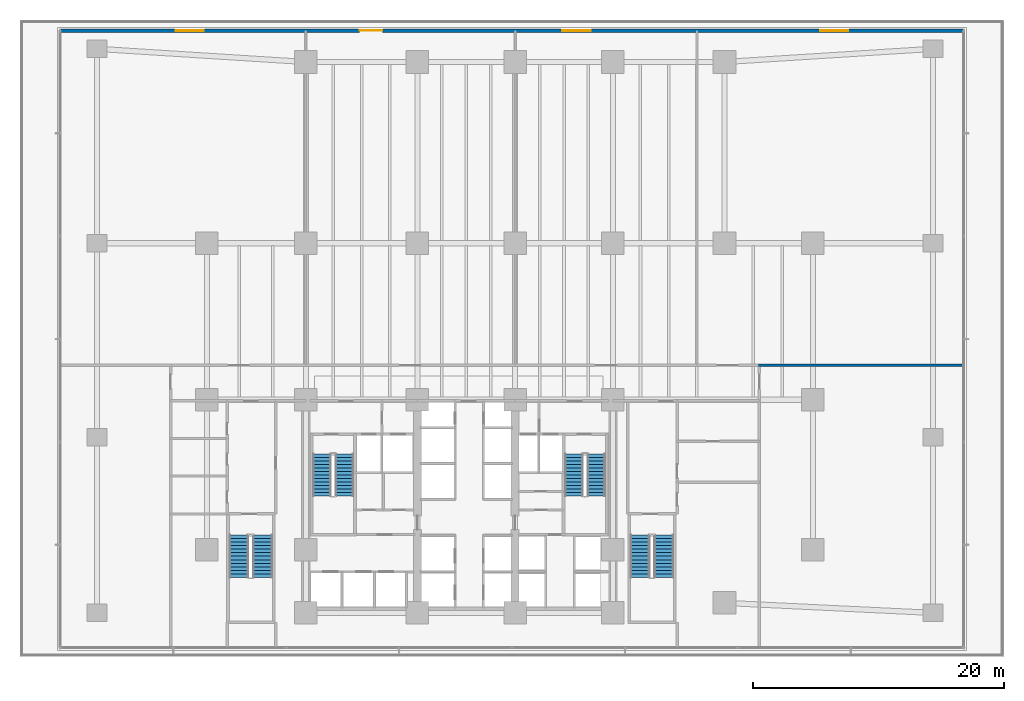
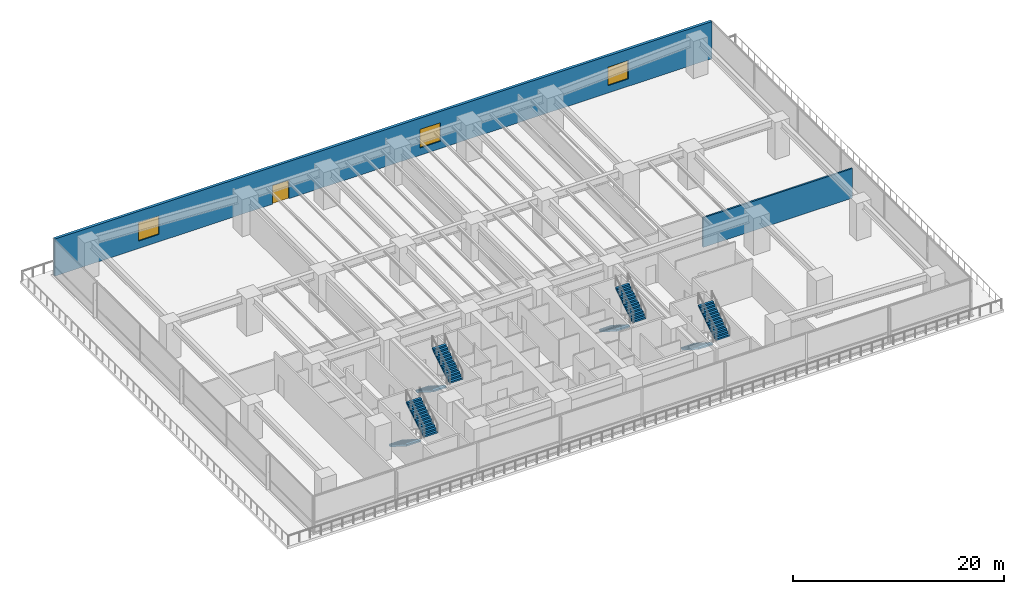
# One storey, part 13 of 28: 8 stair flights, 3 windows, 2 walls, 1 door, 4 openings, 4 elements without a shape of their own.
"""IFC4 building model written with IfcOpenShell, lengths in metres."""

from ifc_helpers import new_model, si_unit, direction, frame, frame_2d, origin, place, context, subcontext, project, spatial, polyline, rectangle, outline, extrude, material, layer, layer_set, type_object, element, fill, aggregate, save


model = new_model("IFC4")

# Units and contexts
model_context = context("Model", 3, precision=1e-05, world=origin(), true_north=direction((0.0, 1.0)))
body_context = subcontext(model_context, "Body", "Model", "MODEL_VIEW")
ifc_project = project(units=[si_unit("LENGTHUNIT", "METRE"), si_unit("AREAUNIT", "SQUARE_METRE"), si_unit("VOLUMEUNIT", "CUBIC_METRE"), si_unit("PLANEANGLEUNIT", "RADIAN"), si_unit("MASSUNIT", "GRAM", prefix="KILO")], contexts=[model_context])

# Site, building, storey
site_placement = place(None, origin())
site = spatial("IfcSite", under=ifc_project, at=site_placement, CompositionType="ELEMENT")
building_placement = place(site_placement, origin())
building = spatial("IfcBuilding", under=site, at=building_placement, Name="Qalmaran Belvedere Hotel", CompositionType="ELEMENT")
storey_placement = place(building_placement, frame((0.0, 0.0, 10.0)))
storey = spatial("IfcBuildingStorey", under=building, at=storey_placement, Name="L02", CompositionType="ELEMENT", Elevation=10.0)

# Wall, openings, door, windows
ifc_material_1 = material(Name="Riyadh Limestone Cladding", Category="masonry")
ifc_layer_1 = layer(ifc_material_1, 0.300048828125, Name="Riyadh Limestone Cladding")
ifc_layer_set_1 = layer_set([ifc_layer_1], Name="Riyadh Limestone Cladding")
wall_type_1 = type_object("IfcWallType", Name="WL-EXT-BRNZ-300", PredefinedType="SOLIDWALL", material=ifc_layer_set_1)
wall_1_placement = place(storey_placement, frame((0.75, 49.949951171875, 0.0), z_axis=(0.0, 0.0, 1.0), x_axis=(1.0, 0.0, 0.0)))
wall_1 = element("IfcWall", 1, at=wall_1_placement, inside=storey, type_object=wall_type_1, Name="L02 North Terrace Wall", PredefinedType="SOLIDWALL", context=body_context, shape_type="SweptSolid", body=[
    extrude(rectangle(XDim=72.0, YDim=0.300048828125, at=frame_2d((36.0, 0.0))), origin(), (0.0, 0.0, 1.0), 4.300048828125),
])
opening_1_placement = place(wall_1_placement, frame((23.85009765625, 0.0, 0.0)))
opening_1 = element("IfcOpeningElement", 2, at=opening_1_placement, cuts=wall_1, Name="Opening TR-180", PredefinedType="OPENING", context=body_context, shape_type="SweptSolid", body=[
    extrude(rectangle(XDim=1.800048828125, YDim=2.14990234375, at=frame_2d((0.89990234375, 1.074951171875))), frame((0.0, 0.16015625, 0.0), z_axis=(0.0, -1.0, 0.0), x_axis=(1.0, 0.0, 0.0)), (0.0, 0.0, 1.0), 0.320068359375),
])
opening_2_placement = place(wall_1_placement, frame((9.16064453125, 0.0, 0.85009765625)))
opening_2 = element("IfcOpeningElement", 3, at=opening_2_placement, cuts=wall_1, Name="Opening W-P22", PredefinedType="OPENING", context=body_context, shape_type="SweptSolid", body=[
    extrude(rectangle(XDim=2.25, YDim=2.14990234375, at=frame_2d((1.125, 1.074951171875))), frame((0.0, 0.16015625, 0.0), z_axis=(0.0, -1.0, 0.0), x_axis=(1.0, 0.0, 0.0)), (0.0, 0.0, 1.0), 0.320068359375),
])
opening_3_placement = place(wall_1_placement, frame((40.017822265625, 0.0, 0.85009765625)))
opening_3 = element("IfcOpeningElement", 4, at=opening_3_placement, cuts=wall_1, Name="Opening W-P22", PredefinedType="OPENING", context=body_context, shape_type="SweptSolid", body=[
    extrude(rectangle(XDim=2.25, YDim=2.14990234375, at=frame_2d((1.125, 1.074951171875))), frame((0.0, 0.16015625, 0.0), z_axis=(0.0, -1.0, 0.0), x_axis=(1.0, 0.0, 0.0)), (0.0, 0.0, 1.0), 0.320068359375),
])
opening_4_placement = place(wall_1_placement, frame((60.58935546875, 0.0, 0.85009765625)))
opening_4 = element("IfcOpeningElement", 5, at=opening_4_placement, cuts=wall_1, Name="Opening W-P22", PredefinedType="OPENING", context=body_context, shape_type="SweptSolid", body=[
    extrude(rectangle(XDim=2.25, YDim=2.14990234375, at=frame_2d((1.125, 1.074951171875))), frame((0.0, 0.16015625, 0.0), z_axis=(0.0, -1.0, 0.0), x_axis=(1.0, 0.0, 0.0)), (0.0, 0.0, 1.0), 0.320068359375),
])
ifc_material_2 = material(Name="Anodised Bronze Aluminium", Category="aluminium")
door_type = type_object("IfcDoorType", Name="DR-TERR-1800X2150", OperationType="NOTDEFINED", PredefinedType="DOOR", material=ifc_material_2)
door_placement = place(opening_1_placement, origin())
door = element("IfcDoor", 6, at=door_placement, inside=storey, type_object=door_type, Name="L02 Podium Terrace Door", OperationType="DOUBLE_DOOR_SINGLE_SWING", OverallHeight=2.14990234375, OverallWidth=1.800048828125, PredefinedType="DOOR", context=body_context, shape_type="SweptSolid", body=[
    extrude(rectangle(XDim=1.800048828125, YDim=2.14990234375, at=frame_2d((0.89990234375, 1.074951171875))), frame((0.0, 0.02490234375, 0.0), z_axis=(0.0, -1.0, 0.0), x_axis=(1.0, 0.0, 0.0)), (0.0, 0.0, 1.0), 0.050048828125),
])
fill(opening_1, door)
ifc_material_3 = material(Name="Solar-Control Double Glazing", Category="glass")
window_type = type_object("IfcWindowType", Name="WN-POD-2250X2150", PartitioningType="SINGLE_PANEL", PredefinedType="WINDOW", material=ifc_material_3)
window_1_placement = place(opening_2_placement, origin())
window_1 = element("IfcWindow", 7, at=window_1_placement, inside=storey, type_object=window_type, Name="L02 North Chicago Bay Window 1", OverallHeight=2.14990234375, OverallWidth=2.25, PartitioningType="SINGLE_PANEL", PredefinedType="WINDOW", context=body_context, shape_type="SweptSolid", body=[
    extrude(rectangle(XDim=2.25, YDim=2.14990234375, at=frame_2d((1.125, 1.074951171875))), frame((0.0, 0.030029296875, 0.0), z_axis=(0.0, -1.0, 0.0), x_axis=(1.0, 0.0, 0.0)), (0.0, 0.0, 1.0), 0.06005859375),
])
fill(opening_2, window_1)
window_2_placement = place(opening_3_placement, origin())
window_2 = element("IfcWindow", 8, at=window_2_placement, inside=storey, type_object=window_type, Name="L02 North Chicago Bay Window 4", OverallHeight=2.14990234375, OverallWidth=2.25, PartitioningType="SINGLE_PANEL", PredefinedType="WINDOW", context=body_context, shape_type="SweptSolid", body=[
    extrude(rectangle(XDim=2.25, YDim=2.14990234375, at=frame_2d((1.125, 1.074951171875))), frame((0.0, 0.030029296875, 0.0), z_axis=(0.0, -1.0, 0.0), x_axis=(1.0, 0.0, 0.0)), (0.0, 0.0, 1.0), 0.06005859375),
])
fill(opening_3, window_2)
window_3_placement = place(opening_4_placement, origin())
window_3 = element("IfcWindow", 9, at=window_3_placement, inside=storey, type_object=window_type, Name="L02 North Chicago Bay Window 6", OverallHeight=2.14990234375, OverallWidth=2.25, PartitioningType="SINGLE_PANEL", PredefinedType="WINDOW", context=body_context, shape_type="SweptSolid", body=[
    extrude(rectangle(XDim=2.25, YDim=2.14990234375, at=frame_2d((1.125, 1.074951171875))), frame((0.0, 0.030029296875, 0.0), z_axis=(0.0, -1.0, 0.0), x_axis=(1.0, 0.0, 0.0)), (0.0, 0.0, 1.0), 0.06005859375),
])
fill(opening_4, window_3)

# Wall
ifc_material_4 = material(Name="Gypsum Stud Partition")
ifc_layer_2 = layer(ifc_material_4, 0.179931640625, Name="Gypsum Stud Partition")
ifc_layer_set_2 = layer_set([ifc_layer_2], Name="Gypsum Stud Partition")
wall_type_2 = type_object("IfcWallType", Name="WL-INT-180-EI60", PredefinedType="PARTITIONING", material=ifc_layer_set_2)
wall_2_placement = place(storey_placement, frame((56.39990234375, 23.25, 0.0), z_axis=(0.0, 0.0, 1.0), x_axis=(1.0, 0.0, 0.0)))
element("IfcWall", 10, at=wall_2_placement, inside=storey, type_object=wall_type_2, Name="L02 Partition WL-L02-GNE4", PredefinedType="PARTITIONING", context=body_context, shape_type="SweptSolid", body=[
    extrude(rectangle(XDim=16.380126953125, YDim=0.179931640625, at=frame_2d((8.18994140625, 0.0))), origin(), (0.0, 0.0, 1.0), 3.429931640625),
])

# Stair, stair flights
ifc_material_5 = material(Name="Concrete C40/50", Category="concrete")
stair_type_1 = type_object("IfcStairType", Name="STR-ST-1-1450-R1769", PredefinedType="HALF_TURN_STAIR", material=ifc_material_5)
stair_1_placement = place(storey_placement, origin())
stair_1 = element("IfcStair", 11, at=stair_1_placement, inside=storey, type_object=stair_type_1, Name="L02 West Core Exit Stair ST-1", PredefinedType="HALF_TURN_STAIR")
ifc_layer_3 = layer(ifc_material_5, 0.14990234375, Name="Concrete C40/50")
ifc_layer_set_3 = layer_set([ifc_layer_3], Name="Concrete C40/50")
stair_flight_type_1 = type_object("IfcStairFlightType", Name="STF-ST-1-1450-R1769", PredefinedType="STRAIGHT", material=ifc_layer_set_3)
stair_flight_1_placement = place(storey_placement, frame((21.60498046875, 16.18994140625, 0.0), z_axis=(0.0, 0.0, 1.0), x_axis=(0.0, -1.0, 0.0)))
stair_flight_1 = element("IfcStairFlight", 12, at=stair_flight_1_placement, type_object=stair_flight_type_1, Name="ST-1 flight 1", NumberOfRisers=13, NumberOfTreads=12, PredefinedType="STRAIGHT", RiserHeight=0.176923077, TreadLength=0.28, context=body_context, shape_type="SweptSolid", body=[
    extrude(outline(polyline([(0.0, 0.0), (0.0, 0.177001953125), (0.280029296875, 0.177001953125), (0.280029296875, 0.353759765625), (0.56005859375, 0.353759765625), (0.56005859375, 0.53076171875), (0.840087890625, 0.53076171875), (0.840087890625, 0.707763671875), (1.1201171875, 0.707763671875), (1.1201171875, 0.884521484375), (1.39990234375, 0.884521484375), (1.39990234375, 1.0615234375), (1.679931640625, 1.0615234375), (1.679931640625, 1.238525390625), (1.9599609375, 1.238525390625), (1.9599609375, 1.415283203125), (2.239990234375, 1.415283203125), (2.239990234375, 1.59228515625), (2.52001953125, 1.59228515625), (2.52001953125, 1.769287109375), (2.800048828125, 1.769287109375), (2.800048828125, 1.946044921875), (3.080078125, 1.946044921875), (3.080078125, 2.123046875), (3.360107421875, 2.123046875), (3.360107421875, 2.300048828125), (3.360107421875, 1.94580078125), (0.280517578125, 0.0), (0.0, 0.0)])), frame((0.0, 0.72509765625, 0.0), z_axis=(0.0, -1.0, 0.0), x_axis=(1.0, 0.0, 0.0)), (0.0, 0.0, 1.0), 1.449951171875),
])
stair_flight_2_placement = place(storey_placement, frame((23.39501953125, 12.830078125, 2.300048828125), z_axis=(0.0, 0.0, 1.0), x_axis=(0.0, 1.0, 0.0)))
stair_flight_2 = element("IfcStairFlight", 13, at=stair_flight_2_placement, type_object=stair_flight_type_1, Name="ST-1 flight 2", NumberOfRisers=13, NumberOfTreads=12, PredefinedType="STRAIGHT", RiserHeight=0.176923077, TreadLength=0.28, context=body_context, shape_type="SweptSolid", body=[
    extrude(outline(polyline([(0.0, 0.0), (0.0, 0.177001953125), (0.280029296875, 0.177001953125), (0.280029296875, 0.353759765625), (0.56005859375, 0.353759765625), (0.56005859375, 0.53076171875), (0.840087890625, 0.53076171875), (0.840087890625, 0.707763671875), (1.1201171875, 0.707763671875), (1.1201171875, 0.884521484375), (1.39990234375, 0.884521484375), (1.39990234375, 1.0615234375), (1.679931640625, 1.0615234375), (1.679931640625, 1.238525390625), (1.9599609375, 1.238525390625), (1.9599609375, 1.415283203125), (2.239990234375, 1.415283203125), (2.239990234375, 1.59228515625), (2.52001953125, 1.59228515625), (2.52001953125, 1.769287109375), (2.800048828125, 1.769287109375), (2.800048828125, 1.946044921875), (3.080078125, 1.946044921875), (3.080078125, 2.123046875), (3.360107421875, 2.123046875), (3.360107421875, 2.300048828125), (3.360107421875, 1.94580078125), (0.280517578125, 0.0), (0.0, 0.0)])), frame((0.0, 0.72509765625, 0.0), z_axis=(0.0, -1.0, 0.0), x_axis=(1.0, 0.0, 0.0)), (0.0, 0.0, 1.0), 1.449951171875),
])
aggregate(stair_1, [stair_flight_1, stair_flight_2])

stair_type_2 = type_object("IfcStairType", Name="STR-ST-2-1450-R1769", PredefinedType="HALF_TURN_STAIR", material=ifc_material_5)
stair_2_placement = place(storey_placement, origin())
stair_2 = element("IfcStair", 14, at=stair_2_placement, inside=storey, type_object=stair_type_2, Name="L02 East Core Exit Stair ST-2", PredefinedType="HALF_TURN_STAIR")
ifc_layer_4 = layer(ifc_material_5, 0.14990234375, Name="Concrete C40/50")
ifc_layer_set_4 = layer_set([ifc_layer_4], Name="Concrete C40/50")
stair_flight_type_2 = type_object("IfcStairFlightType", Name="STF-ST-2-1450-R1769", PredefinedType="STRAIGHT", material=ifc_layer_set_4)
stair_flight_3_placement = place(storey_placement, frame((41.68505859375, 16.18994140625, 0.0), z_axis=(0.0, 0.0, 1.0), x_axis=(0.0, -1.0, 0.0)))
stair_flight_3 = element("IfcStairFlight", 15, at=stair_flight_3_placement, type_object=stair_flight_type_2, Name="ST-2 flight 1", NumberOfRisers=13, NumberOfTreads=12, PredefinedType="STRAIGHT", RiserHeight=0.176923077, TreadLength=0.28, context=body_context, shape_type="SweptSolid", body=[
    extrude(outline(polyline([(0.0, 0.0), (0.0, 0.177001953125), (0.280029296875, 0.177001953125), (0.280029296875, 0.353759765625), (0.56005859375, 0.353759765625), (0.56005859375, 0.53076171875), (0.840087890625, 0.53076171875), (0.840087890625, 0.707763671875), (1.1201171875, 0.707763671875), (1.1201171875, 0.884521484375), (1.39990234375, 0.884521484375), (1.39990234375, 1.0615234375), (1.679931640625, 1.0615234375), (1.679931640625, 1.238525390625), (1.9599609375, 1.238525390625), (1.9599609375, 1.415283203125), (2.239990234375, 1.415283203125), (2.239990234375, 1.59228515625), (2.52001953125, 1.59228515625), (2.52001953125, 1.769287109375), (2.800048828125, 1.769287109375), (2.800048828125, 1.946044921875), (3.080078125, 1.946044921875), (3.080078125, 2.123046875), (3.360107421875, 2.123046875), (3.360107421875, 2.300048828125), (3.360107421875, 1.94580078125), (0.280517578125, 0.0), (0.0, 0.0)])), frame((0.0, 0.72509765625, 0.0), z_axis=(0.0, -1.0, 0.0), x_axis=(1.0, 0.0, 0.0)), (0.0, 0.0, 1.0), 1.449951171875),
])
stair_flight_4_placement = place(storey_placement, frame((43.47509765625, 12.830078125, 2.300048828125), z_axis=(0.0, 0.0, 1.0), x_axis=(0.0, 1.0, 0.0)))
stair_flight_4 = element("IfcStairFlight", 16, at=stair_flight_4_placement, type_object=stair_flight_type_2, Name="ST-2 flight 2", NumberOfRisers=13, NumberOfTreads=12, PredefinedType="STRAIGHT", RiserHeight=0.176923077, TreadLength=0.28, context=body_context, shape_type="SweptSolid", body=[
    extrude(outline(polyline([(0.0, 0.0), (0.0, 0.177001953125), (0.280029296875, 0.177001953125), (0.280029296875, 0.353759765625), (0.56005859375, 0.353759765625), (0.56005859375, 0.53076171875), (0.840087890625, 0.53076171875), (0.840087890625, 0.707763671875), (1.1201171875, 0.707763671875), (1.1201171875, 0.884521484375), (1.39990234375, 0.884521484375), (1.39990234375, 1.0615234375), (1.679931640625, 1.0615234375), (1.679931640625, 1.238525390625), (1.9599609375, 1.238525390625), (1.9599609375, 1.415283203125), (2.239990234375, 1.415283203125), (2.239990234375, 1.59228515625), (2.52001953125, 1.59228515625), (2.52001953125, 1.769287109375), (2.800048828125, 1.769287109375), (2.800048828125, 1.946044921875), (3.080078125, 1.946044921875), (3.080078125, 2.123046875), (3.360107421875, 2.123046875), (3.360107421875, 2.300048828125), (3.360107421875, 1.94580078125), (0.280517578125, 0.0), (0.0, 0.0)])), frame((0.0, 0.72509765625, 0.0), z_axis=(0.0, -1.0, 0.0), x_axis=(1.0, 0.0, 0.0)), (0.0, 0.0, 1.0), 1.449951171875),
])
aggregate(stair_2, [stair_flight_3, stair_flight_4])

stair_type_3 = type_object("IfcStairType", Name="STR-ST-P1-1550-R1769", PredefinedType="HALF_TURN_STAIR", material=ifc_material_5)
stair_3_placement = place(storey_placement, origin())
stair_3 = element("IfcStair", 17, at=stair_3_placement, inside=storey, type_object=stair_type_3, Name="L02 West Podium Exit Stair ST-P1", PredefinedType="HALF_TURN_STAIR")
ifc_layer_5 = layer(ifc_material_5, 0.14990234375, Name="Concrete C40/50")
ifc_layer_set_5 = layer_set([ifc_layer_5], Name="Concrete C40/50")
stair_flight_type_3 = type_object("IfcStairFlightType", Name="STF-ST-P1-1550-R1769", PredefinedType="STRAIGHT", material=ifc_layer_set_5)
stair_flight_5_placement = place(storey_placement, frame((14.97509765625, 9.699951171875, 0.0), z_axis=(0.0, 0.0, 1.0), x_axis=(0.0, -1.0, 0.0)))
stair_flight_5 = element("IfcStairFlight", 18, at=stair_flight_5_placement, type_object=stair_flight_type_3, Name="ST-P1 flight 1", NumberOfRisers=13, NumberOfTreads=12, PredefinedType="STRAIGHT", RiserHeight=0.176923077, TreadLength=0.28, context=body_context, shape_type="SweptSolid", body=[
    extrude(outline(polyline([(0.0, 0.0), (0.0, 0.177001953125), (0.280029296875, 0.177001953125), (0.280029296875, 0.353759765625), (0.56005859375, 0.353759765625), (0.56005859375, 0.53076171875), (0.840087890625, 0.53076171875), (0.840087890625, 0.707763671875), (1.1201171875, 0.707763671875), (1.1201171875, 0.884521484375), (1.39990234375, 0.884521484375), (1.39990234375, 1.0615234375), (1.679931640625, 1.0615234375), (1.679931640625, 1.238525390625), (1.9599609375, 1.238525390625), (1.9599609375, 1.415283203125), (2.239990234375, 1.415283203125), (2.239990234375, 1.59228515625), (2.52001953125, 1.59228515625), (2.52001953125, 1.769287109375), (2.800048828125, 1.769287109375), (2.800048828125, 1.946044921875), (3.080078125, 1.946044921875), (3.080078125, 2.123046875), (3.360107421875, 2.123046875), (3.360107421875, 2.300048828125), (3.360107421875, 1.94580078125), (0.280517578125, 0.0), (0.0, 0.0)])), frame((0.0, 0.77490234375, 0.0), z_axis=(0.0, -1.0, 0.0), x_axis=(1.0, 0.0, 0.0)), (0.0, 0.0, 1.0), 1.550048828125),
])
stair_flight_6_placement = place(storey_placement, frame((16.864990234375, 6.340087890625, 2.300048828125), z_axis=(0.0, 0.0, 1.0), x_axis=(0.0, 1.0, 0.0)))
stair_flight_6 = element("IfcStairFlight", 19, at=stair_flight_6_placement, type_object=stair_flight_type_3, Name="ST-P1 flight 2", NumberOfRisers=13, NumberOfTreads=12, PredefinedType="STRAIGHT", RiserHeight=0.176923077, TreadLength=0.28, context=body_context, shape_type="SweptSolid", body=[
    extrude(outline(polyline([(0.0, 0.0), (0.0, 0.177001953125), (0.280029296875, 0.177001953125), (0.280029296875, 0.353759765625), (0.56005859375, 0.353759765625), (0.56005859375, 0.53076171875), (0.840087890625, 0.53076171875), (0.840087890625, 0.707763671875), (1.1201171875, 0.707763671875), (1.1201171875, 0.884521484375), (1.39990234375, 0.884521484375), (1.39990234375, 1.0615234375), (1.679931640625, 1.0615234375), (1.679931640625, 1.238525390625), (1.9599609375, 1.238525390625), (1.9599609375, 1.415283203125), (2.239990234375, 1.415283203125), (2.239990234375, 1.59228515625), (2.52001953125, 1.59228515625), (2.52001953125, 1.769287109375), (2.800048828125, 1.769287109375), (2.800048828125, 1.946044921875), (3.080078125, 1.946044921875), (3.080078125, 2.123046875), (3.360107421875, 2.123046875), (3.360107421875, 2.300048828125), (3.360107421875, 1.94580078125), (0.280517578125, 0.0), (0.0, 0.0)])), frame((0.0, 0.77490234375, 0.0), z_axis=(0.0, -1.0, 0.0), x_axis=(1.0, 0.0, 0.0)), (0.0, 0.0, 1.0), 1.550048828125),
])
aggregate(stair_3, [stair_flight_5, stair_flight_6])

stair_type_4 = type_object("IfcStairType", Name="STR-ST-P2-1550-R1769", PredefinedType="HALF_TURN_STAIR", material=ifc_material_5)
stair_4_placement = place(storey_placement, origin())
stair_4 = element("IfcStair", 20, at=stair_4_placement, inside=storey, type_object=stair_type_4, Name="L02 East Podium Exit Stair ST-P2", PredefinedType="HALF_TURN_STAIR")
ifc_layer_6 = layer(ifc_material_5, 0.14990234375, Name="Concrete C40/50")
ifc_layer_set_6 = layer_set([ifc_layer_6], Name="Concrete C40/50")
stair_flight_type_4 = type_object("IfcStairFlightType", Name="STF-ST-P2-1550-R1769", PredefinedType="STRAIGHT", material=ifc_layer_set_6)
stair_flight_7_placement = place(storey_placement, frame((46.97509765625, 9.699951171875, 0.0), z_axis=(0.0, 0.0, 1.0), x_axis=(0.0, -1.0, 0.0)))
stair_flight_7 = element("IfcStairFlight", 21, at=stair_flight_7_placement, type_object=stair_flight_type_4, Name="ST-P2 flight 1", NumberOfRisers=13, NumberOfTreads=12, PredefinedType="STRAIGHT", RiserHeight=0.176923077, TreadLength=0.28, context=body_context, shape_type="SweptSolid", body=[
    extrude(outline(polyline([(0.0, 0.0), (0.0, 0.177001953125), (0.280029296875, 0.177001953125), (0.280029296875, 0.353759765625), (0.56005859375, 0.353759765625), (0.56005859375, 0.53076171875), (0.840087890625, 0.53076171875), (0.840087890625, 0.707763671875), (1.1201171875, 0.707763671875), (1.1201171875, 0.884521484375), (1.39990234375, 0.884521484375), (1.39990234375, 1.0615234375), (1.679931640625, 1.0615234375), (1.679931640625, 1.238525390625), (1.9599609375, 1.238525390625), (1.9599609375, 1.415283203125), (2.239990234375, 1.415283203125), (2.239990234375, 1.59228515625), (2.52001953125, 1.59228515625), (2.52001953125, 1.769287109375), (2.800048828125, 1.769287109375), (2.800048828125, 1.946044921875), (3.080078125, 1.946044921875), (3.080078125, 2.123046875), (3.360107421875, 2.123046875), (3.360107421875, 2.300048828125), (3.360107421875, 1.94580078125), (0.280517578125, 0.0), (0.0, 0.0)])), frame((0.0, 0.77490234375, 0.0), z_axis=(0.0, -1.0, 0.0), x_axis=(1.0, 0.0, 0.0)), (0.0, 0.0, 1.0), 1.550048828125),
])
stair_flight_8_placement = place(storey_placement, frame((48.864990234375, 6.340087890625, 2.300048828125), z_axis=(0.0, 0.0, 1.0), x_axis=(0.0, 1.0, 0.0)))
stair_flight_8 = element("IfcStairFlight", 22, at=stair_flight_8_placement, type_object=stair_flight_type_4, Name="ST-P2 flight 2", NumberOfRisers=13, NumberOfTreads=12, PredefinedType="STRAIGHT", RiserHeight=0.176923077, TreadLength=0.28, context=body_context, shape_type="SweptSolid", body=[
    extrude(outline(polyline([(0.0, 0.0), (0.0, 0.177001953125), (0.280029296875, 0.177001953125), (0.280029296875, 0.353759765625), (0.56005859375, 0.353759765625), (0.56005859375, 0.53076171875), (0.840087890625, 0.53076171875), (0.840087890625, 0.707763671875), (1.1201171875, 0.707763671875), (1.1201171875, 0.884521484375), (1.39990234375, 0.884521484375), (1.39990234375, 1.0615234375), (1.679931640625, 1.0615234375), (1.679931640625, 1.238525390625), (1.9599609375, 1.238525390625), (1.9599609375, 1.415283203125), (2.239990234375, 1.415283203125), (2.239990234375, 1.59228515625), (2.52001953125, 1.59228515625), (2.52001953125, 1.769287109375), (2.800048828125, 1.769287109375), (2.800048828125, 1.946044921875), (3.080078125, 1.946044921875), (3.080078125, 2.123046875), (3.360107421875, 2.123046875), (3.360107421875, 2.300048828125), (3.360107421875, 1.94580078125), (0.280517578125, 0.0), (0.0, 0.0)])), frame((0.0, 0.77490234375, 0.0), z_axis=(0.0, -1.0, 0.0), x_axis=(1.0, 0.0, 0.0)), (0.0, 0.0, 1.0), 1.550048828125),
])
aggregate(stair_4, [stair_flight_7, stair_flight_8])

save(model, "model.ifc")
